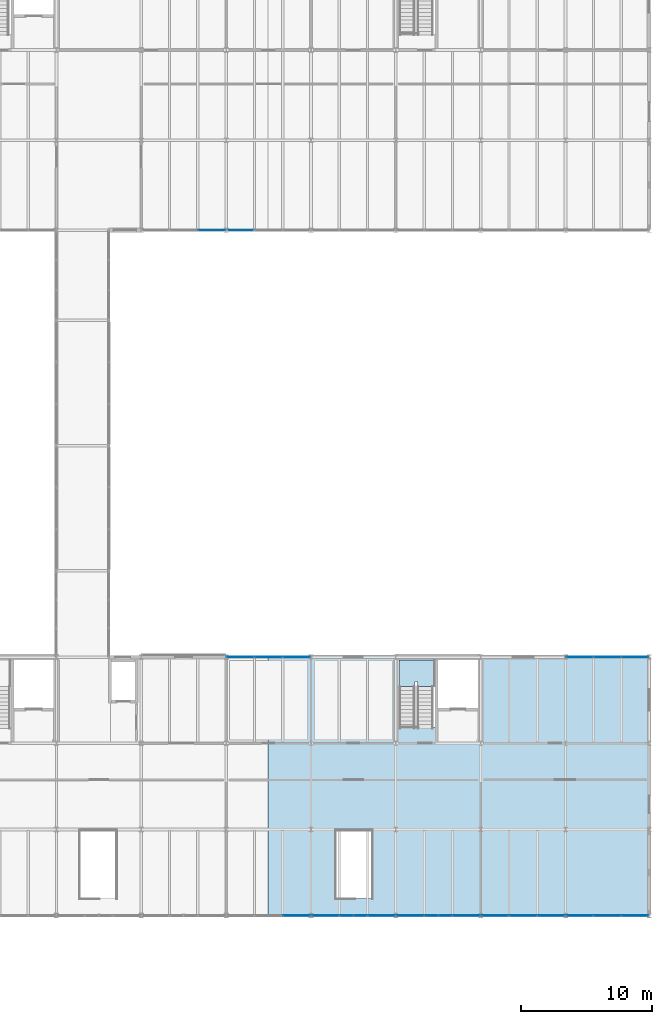
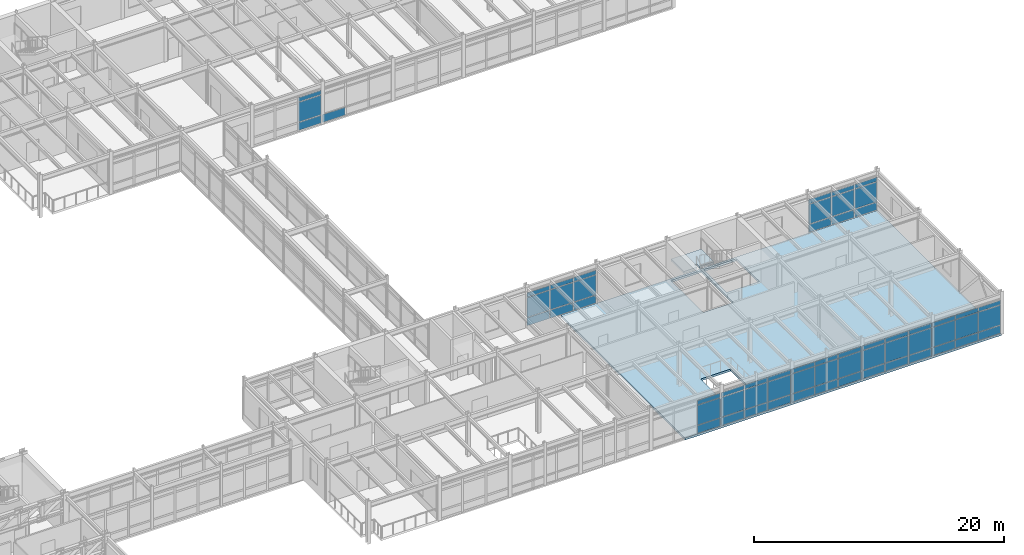
# One storey, part 99 of 144: 61 plates, 2 slabs, 10 elements without a shape of their own.
"""IFC4 building model written with IfcOpenShell, lengths in metres."""

from ifc_helpers import new_model, si_unit, direction, frame, origin, origin_2d, place, context, subcontext, project, spatial, polyline, rectangle, outline, extrude, material, layer, layer_set, type_object, element, aggregate, save


model = new_model("IFC4")

# Units and contexts
model_context = context("Model", 3, precision=1e-05, world=origin(), true_north=direction((0.0, 1.0)))
body_context = subcontext(model_context, "Body", "Model", "MODEL_VIEW")
ifc_project = project(units=[si_unit("LENGTHUNIT", "METRE"), si_unit("AREAUNIT", "SQUARE_METRE"), si_unit("VOLUMEUNIT", "CUBIC_METRE"), si_unit("PLANEANGLEUNIT", "RADIAN"), si_unit("MASSUNIT", "GRAM", prefix="KILO")], contexts=[model_context])

# Site, building, storey
site_placement = place(None, origin())
site = spatial("IfcSite", under=ifc_project, at=site_placement, CompositionType="ELEMENT")
building_placement = place(site_placement, origin())
building = spatial("IfcBuilding", under=site, at=building_placement, Name="Trelmorton Wharf Fire Station", CompositionType="ELEMENT")
storey_placement = place(building_placement, frame((0.0, 0.0, 5.39990234375)))
storey = spatial("IfcBuildingStorey", under=building, at=storey_placement, Name="L01", CompositionType="ELEMENT", Elevation=5.39990234375)

# Curtain wall, plates
ifc_material_1 = material(Name="Anodised aluminium AW-6063", Category="aluminium")
ifc_layer_1 = layer(ifc_material_1, 0.159912109375)
ifc_layer_set_1 = layer_set([ifc_layer_1], Name="Anodised aluminium AW-6063")
curtain_wall_type_1 = type_object("IfcCurtainWallType", Name="CW_CHIC_A", PredefinedType="USERDEFINED", material=ifc_layer_set_1)
curtain_wall_1_placement = place(storey_placement, origin())
curtain_wall_1 = element("IfcCurtainWall", 1, at=curtain_wall_1_placement, inside=storey, type_object=curtain_wall_type_1, Name="CW-V5-L01-041", ObjectType="CHICAGO BAY CURTAIN WALL", PredefinedType="USERDEFINED")
ifc_material_2 = material(Name="Tempered low-E double glazing", Category="glass")
ifc_layer_2 = layer(ifc_material_2, 0.028076171875)
ifc_layer_set_2 = layer_set([ifc_layer_2], Name="Tempered low-E double glazing")
plate_type_1 = type_object("IfcPlateType", Name="CWP_GLAZ_28", PredefinedType="CURTAIN_PANEL", material=ifc_layer_set_2)
plate_1_placement = place(storey_placement, frame((135.3984375, 7.800048828125, 0.06005859375), z_axis=(0.0, 0.0, 1.0), x_axis=(-1.0, 0.0, 0.0)))
plate_1 = element("IfcPlate", 2, at=plate_1_placement, type_object=plate_type_1, Name="CW1 panel 1.1", PredefinedType="CURTAIN_PANEL", context=body_context, shape_type="SweptSolid", body=[
    extrude(rectangle(XDim=2.0732421875, YDim=0.028076171875, at=origin_2d()), origin(), (0.0, 0.0, 1.0), 0.760009765625),
])
plate_2_placement = place(storey_placement, frame((135.3984375, 7.800048828125, 0.88037109375), z_axis=(0.0, 0.0, 1.0), x_axis=(-1.0, 0.0, 0.0)))
plate_2 = element("IfcPlate", 3, at=plate_2_placement, type_object=plate_type_1, Name="CW1 panel 1.2", PredefinedType="CURTAIN_PANEL", context=body_context, shape_type="SweptSolid", body=[
    extrude(rectangle(XDim=2.0732421875, YDim=0.028076171875, at=origin_2d()), origin(), (0.0, 0.0, 1.0), 1.909912109375),
])
plate_3_placement = place(storey_placement, frame((135.3984375, 7.800048828125, 2.85009765625), z_axis=(0.0, 0.0, 1.0), x_axis=(-1.0, 0.0, 0.0)))
plate_3 = element("IfcPlate", 4, at=plate_3_placement, type_object=plate_type_1, Name="CW1 panel 1.3", PredefinedType="CURTAIN_PANEL", context=body_context, shape_type="SweptSolid", body=[
    extrude(rectangle(XDim=2.0732421875, YDim=0.028076171875, at=origin_2d()), origin(), (0.0, 0.0, 1.0), 0.409912109375),
])
aggregate(curtain_wall_1, [plate_1, plate_2, plate_3])

curtain_wall_2_placement = place(storey_placement, origin())
curtain_wall_2 = element("IfcCurtainWall", 5, at=curtain_wall_2_placement, inside=storey, type_object=curtain_wall_type_1, Name="CW-V5-L01-043", ObjectType="CHICAGO BAY CURTAIN WALL", PredefinedType="USERDEFINED")
plate_4_placement = place(storey_placement, frame((148.3984375, 7.800048828125, 0.06005859375), z_axis=(0.0, 0.0, 1.0), x_axis=(-1.0, 0.0, 0.0)))
plate_4 = element("IfcPlate", 6, at=plate_4_placement, type_object=plate_type_1, Name="CW1 panel 1.1", PredefinedType="CURTAIN_PANEL", context=body_context, shape_type="SweptSolid", body=[
    extrude(rectangle(XDim=2.0732421875, YDim=0.028076171875, at=origin_2d()), origin(), (0.0, 0.0, 1.0), 0.760009765625),
])
plate_5_placement = place(storey_placement, frame((148.3984375, 7.800048828125, 0.88037109375), z_axis=(0.0, 0.0, 1.0), x_axis=(-1.0, 0.0, 0.0)))
plate_5 = element("IfcPlate", 7, at=plate_5_placement, type_object=plate_type_1, Name="CW1 panel 1.2", PredefinedType="CURTAIN_PANEL", context=body_context, shape_type="SweptSolid", body=[
    extrude(rectangle(XDim=2.0732421875, YDim=0.028076171875, at=origin_2d()), origin(), (0.0, 0.0, 1.0), 1.909912109375),
])
plate_6_placement = place(storey_placement, frame((148.3984375, 7.800048828125, 2.85009765625), z_axis=(0.0, 0.0, 1.0), x_axis=(-1.0, 0.0, 0.0)))
plate_6 = element("IfcPlate", 8, at=plate_6_placement, type_object=plate_type_1, Name="CW1 panel 1.3", PredefinedType="CURTAIN_PANEL", context=body_context, shape_type="SweptSolid", body=[
    extrude(rectangle(XDim=2.0732421875, YDim=0.028076171875, at=origin_2d()), origin(), (0.0, 0.0, 1.0), 0.409912109375),
])
plate_7_placement = place(storey_placement, frame((146.25, 7.800048828125, 0.06005859375), z_axis=(0.0, 0.0, 1.0), x_axis=(-1.0, 0.0, 0.0)))
plate_7 = element("IfcPlate", 9, at=plate_7_placement, type_object=plate_type_1, Name="CW1 panel 2.1", PredefinedType="CURTAIN_PANEL", context=body_context, shape_type="SweptSolid", body=[
    extrude(rectangle(XDim=2.103271484375, YDim=0.028076171875, at=origin_2d()), origin(), (0.0, 0.0, 1.0), 0.760009765625),
])
plate_8_placement = place(storey_placement, frame((146.25, 7.800048828125, 0.88037109375), z_axis=(0.0, 0.0, 1.0), x_axis=(-1.0, 0.0, 0.0)))
plate_8 = element("IfcPlate", 10, at=plate_8_placement, type_object=plate_type_1, Name="CW1 panel 2.2", PredefinedType="CURTAIN_PANEL", context=body_context, shape_type="SweptSolid", body=[
    extrude(rectangle(XDim=2.103271484375, YDim=0.028076171875, at=origin_2d()), origin(), (0.0, 0.0, 1.0), 1.909912109375),
])
plate_9_placement = place(storey_placement, frame((146.25, 7.800048828125, 2.85009765625), z_axis=(0.0, 0.0, 1.0), x_axis=(-1.0, 0.0, 0.0)))
plate_9 = element("IfcPlate", 11, at=plate_9_placement, type_object=plate_type_1, Name="CW1 panel 2.3", PredefinedType="CURTAIN_PANEL", context=body_context, shape_type="SweptSolid", body=[
    extrude(rectangle(XDim=2.103271484375, YDim=0.028076171875, at=origin_2d()), origin(), (0.0, 0.0, 1.0), 0.409912109375),
])
plate_10_placement = place(storey_placement, frame((144.1015625, 7.800048828125, 0.06005859375), z_axis=(0.0, 0.0, 1.0), x_axis=(-1.0, 0.0, 0.0)))
plate_10 = element("IfcPlate", 12, at=plate_10_placement, type_object=plate_type_1, Name="CW1 panel 3.1", PredefinedType="CURTAIN_PANEL", context=body_context, shape_type="SweptSolid", body=[
    extrude(rectangle(XDim=2.0732421875, YDim=0.028076171875, at=origin_2d()), origin(), (0.0, 0.0, 1.0), 0.760009765625),
])
plate_11_placement = place(storey_placement, frame((144.1015625, 7.800048828125, 0.88037109375), z_axis=(0.0, 0.0, 1.0), x_axis=(-1.0, 0.0, 0.0)))
plate_11 = element("IfcPlate", 13, at=plate_11_placement, type_object=plate_type_1, Name="CW1 panel 3.2", PredefinedType="CURTAIN_PANEL", context=body_context, shape_type="SweptSolid", body=[
    extrude(rectangle(XDim=2.0732421875, YDim=0.028076171875, at=origin_2d()), origin(), (0.0, 0.0, 1.0), 1.909912109375),
])
plate_12_placement = place(storey_placement, frame((144.1015625, 7.800048828125, 2.85009765625), z_axis=(0.0, 0.0, 1.0), x_axis=(-1.0, 0.0, 0.0)))
plate_12 = element("IfcPlate", 14, at=plate_12_placement, type_object=plate_type_1, Name="CW1 panel 3.3", PredefinedType="CURTAIN_PANEL", context=body_context, shape_type="SweptSolid", body=[
    extrude(rectangle(XDim=2.0732421875, YDim=0.028076171875, at=origin_2d()), origin(), (0.0, 0.0, 1.0), 0.409912109375),
])
aggregate(curtain_wall_2, [plate_4, plate_5, plate_6, plate_7, plate_8, plate_9, plate_10, plate_11, plate_12])

ifc_layer_3 = layer(ifc_material_1, 0.175048828125)
ifc_layer_set_3 = layer_set([ifc_layer_3], Name="Anodised aluminium AW-6063")
curtain_wall_type_2 = type_object("IfcCurtainWallType", Name="CW_CHIC_B", PredefinedType="USERDEFINED", material=ifc_layer_set_3)
curtain_wall_3_placement = place(storey_placement, origin())
curtain_wall_3 = element("IfcCurtainWall", 15, at=curtain_wall_3_placement, inside=storey, type_object=curtain_wall_type_2, Name="CW-V5-L01-044", ObjectType="CHICAGO BAY CURTAIN WALL", PredefinedType="USERDEFINED")
plate_13_placement = place(storey_placement, frame((154.8984375, 7.800048828125, 0.06005859375), z_axis=(0.0, 0.0, 1.0), x_axis=(-1.0, 0.0, 0.0)))
plate_13 = element("IfcPlate", 16, at=plate_13_placement, type_object=plate_type_1, Name="CW2 panel 1.1", PredefinedType="CURTAIN_PANEL", context=body_context, shape_type="SweptSolid", body=[
    extrude(rectangle(XDim=2.0732421875, YDim=0.028076171875, at=origin_2d()), origin(), (0.0, 0.0, 1.0), 0.760009765625),
])
plate_14_placement = place(storey_placement, frame((154.8984375, 7.800048828125, 0.88037109375), z_axis=(0.0, 0.0, 1.0), x_axis=(-1.0, 0.0, 0.0)))
plate_14 = element("IfcPlate", 17, at=plate_14_placement, type_object=plate_type_1, Name="CW2 panel 1.2", PredefinedType="CURTAIN_PANEL", context=body_context, shape_type="SweptSolid", body=[
    extrude(rectangle(XDim=2.0732421875, YDim=0.028076171875, at=origin_2d()), origin(), (0.0, 0.0, 1.0), 1.909912109375),
])
plate_15_placement = place(storey_placement, frame((154.8984375, 7.800048828125, 2.85009765625), z_axis=(0.0, 0.0, 1.0), x_axis=(-1.0, 0.0, 0.0)))
plate_15 = element("IfcPlate", 18, at=plate_15_placement, type_object=plate_type_1, Name="CW2 panel 1.3", PredefinedType="CURTAIN_PANEL", context=body_context, shape_type="SweptSolid", body=[
    extrude(rectangle(XDim=2.0732421875, YDim=0.028076171875, at=origin_2d()), origin(), (0.0, 0.0, 1.0), 0.409912109375),
])
plate_16_placement = place(storey_placement, frame((152.75, 7.800048828125, 0.06005859375), z_axis=(0.0, 0.0, 1.0), x_axis=(-1.0, 0.0, 0.0)))
plate_16 = element("IfcPlate", 19, at=plate_16_placement, type_object=plate_type_1, Name="CW2 panel 2.1", PredefinedType="CURTAIN_PANEL", context=body_context, shape_type="SweptSolid", body=[
    extrude(rectangle(XDim=2.103271484375, YDim=0.028076171875, at=origin_2d()), origin(), (0.0, 0.0, 1.0), 0.760009765625),
])
plate_17_placement = place(storey_placement, frame((152.75, 7.800048828125, 0.88037109375), z_axis=(0.0, 0.0, 1.0), x_axis=(-1.0, 0.0, 0.0)))
plate_17 = element("IfcPlate", 20, at=plate_17_placement, type_object=plate_type_1, Name="CW2 panel 2.2", PredefinedType="CURTAIN_PANEL", context=body_context, shape_type="SweptSolid", body=[
    extrude(rectangle(XDim=2.103271484375, YDim=0.028076171875, at=origin_2d()), origin(), (0.0, 0.0, 1.0), 1.909912109375),
])
plate_18_placement = place(storey_placement, frame((152.75, 7.800048828125, 2.85009765625), z_axis=(0.0, 0.0, 1.0), x_axis=(-1.0, 0.0, 0.0)))
plate_18 = element("IfcPlate", 21, at=plate_18_placement, type_object=plate_type_1, Name="CW2 panel 2.3", PredefinedType="CURTAIN_PANEL", context=body_context, shape_type="SweptSolid", body=[
    extrude(rectangle(XDim=2.103271484375, YDim=0.028076171875, at=origin_2d()), origin(), (0.0, 0.0, 1.0), 0.409912109375),
])
plate_19_placement = place(storey_placement, frame((150.6015625, 7.800048828125, 0.06005859375), z_axis=(0.0, 0.0, 1.0), x_axis=(-1.0, 0.0, 0.0)))
plate_19 = element("IfcPlate", 22, at=plate_19_placement, type_object=plate_type_1, Name="CW2 panel 3.1", PredefinedType="CURTAIN_PANEL", context=body_context, shape_type="SweptSolid", body=[
    extrude(rectangle(XDim=2.0732421875, YDim=0.028076171875, at=origin_2d()), origin(), (0.0, 0.0, 1.0), 0.760009765625),
])
plate_20_placement = place(storey_placement, frame((150.6015625, 7.800048828125, 0.88037109375), z_axis=(0.0, 0.0, 1.0), x_axis=(-1.0, 0.0, 0.0)))
plate_20 = element("IfcPlate", 23, at=plate_20_placement, type_object=plate_type_1, Name="CW2 panel 3.2", PredefinedType="CURTAIN_PANEL", context=body_context, shape_type="SweptSolid", body=[
    extrude(rectangle(XDim=2.0732421875, YDim=0.028076171875, at=origin_2d()), origin(), (0.0, 0.0, 1.0), 1.909912109375),
])
plate_21_placement = place(storey_placement, frame((150.6015625, 7.800048828125, 2.85009765625), z_axis=(0.0, 0.0, 1.0), x_axis=(-1.0, 0.0, 0.0)))
plate_21 = element("IfcPlate", 24, at=plate_21_placement, type_object=plate_type_1, Name="CW2 panel 3.3", PredefinedType="CURTAIN_PANEL", context=body_context, shape_type="SweptSolid", body=[
    extrude(rectangle(XDim=2.0732421875, YDim=0.028076171875, at=origin_2d()), origin(), (0.0, 0.0, 1.0), 0.409912109375),
])
aggregate(curtain_wall_3, [plate_13, plate_14, plate_15, plate_16, plate_17, plate_18, plate_19, plate_20, plate_21])

ifc_layer_4 = layer(ifc_material_1, 0.14990234375)
ifc_layer_set_4 = layer_set([ifc_layer_4], Name="Anodised aluminium AW-6063")
curtain_wall_type_3 = type_object("IfcCurtainWallType", Name="CW_UNIT_A", PredefinedType="USERDEFINED", material=ifc_layer_set_4)
curtain_wall_4_placement = place(storey_placement, origin())
curtain_wall_4 = element("IfcCurtainWall", 25, at=curtain_wall_4_placement, inside=storey, type_object=curtain_wall_type_3, Name="CW-V5-L01-047", ObjectType="UNITISED CURTAIN WALL", PredefinedType="USERDEFINED")
plate_22_placement = place(storey_placement, frame((131.1015625, 27.60009765625, 0.06005859375), z_axis=(0.0, 0.0, 1.0), x_axis=(1.0, 0.0, 0.0)))
plate_22 = element("IfcPlate", 26, at=plate_22_placement, type_object=plate_type_1, Name="CW3 panel 1.1", PredefinedType="CURTAIN_PANEL", context=body_context, shape_type="SweptSolid", body=[
    extrude(rectangle(XDim=2.0732421875, YDim=0.028076171875, at=origin_2d()), origin(), (0.0, 0.0, 1.0), 0.760009765625),
])
plate_23_placement = place(storey_placement, frame((131.1015625, 27.60009765625, 0.88037109375), z_axis=(0.0, 0.0, 1.0), x_axis=(1.0, 0.0, 0.0)))
plate_23 = element("IfcPlate", 27, at=plate_23_placement, type_object=plate_type_1, Name="CW3 panel 1.2", PredefinedType="CURTAIN_PANEL", context=body_context, shape_type="SweptSolid", body=[
    extrude(rectangle(XDim=2.0732421875, YDim=0.028076171875, at=origin_2d()), origin(), (0.0, 0.0, 1.0), 1.909912109375),
])
plate_24_placement = place(storey_placement, frame((131.1015625, 27.60009765625, 2.85009765625), z_axis=(0.0, 0.0, 1.0), x_axis=(1.0, 0.0, 0.0)))
plate_24 = element("IfcPlate", 28, at=plate_24_placement, type_object=plate_type_1, Name="CW3 panel 1.3", PredefinedType="CURTAIN_PANEL", context=body_context, shape_type="SweptSolid", body=[
    extrude(rectangle(XDim=2.0732421875, YDim=0.028076171875, at=origin_2d()), origin(), (0.0, 0.0, 1.0), 0.409912109375),
])
plate_25_placement = place(storey_placement, frame((133.25, 27.60009765625, 0.06005859375), z_axis=(0.0, 0.0, 1.0), x_axis=(1.0, 0.0, 0.0)))
plate_25 = element("IfcPlate", 29, at=plate_25_placement, type_object=plate_type_1, Name="CW3 panel 2.1", PredefinedType="CURTAIN_PANEL", context=body_context, shape_type="SweptSolid", body=[
    extrude(rectangle(XDim=2.103271484375, YDim=0.028076171875, at=origin_2d()), origin(), (0.0, 0.0, 1.0), 0.760009765625),
])
plate_26_placement = place(storey_placement, frame((133.25, 27.60009765625, 0.88037109375), z_axis=(0.0, 0.0, 1.0), x_axis=(1.0, 0.0, 0.0)))
plate_26 = element("IfcPlate", 30, at=plate_26_placement, type_object=plate_type_1, Name="CW3 panel 2.2", PredefinedType="CURTAIN_PANEL", context=body_context, shape_type="SweptSolid", body=[
    extrude(rectangle(XDim=2.103271484375, YDim=0.028076171875, at=origin_2d()), origin(), (0.0, 0.0, 1.0), 1.909912109375),
])
plate_27_placement = place(storey_placement, frame((133.25, 27.60009765625, 2.85009765625), z_axis=(0.0, 0.0, 1.0), x_axis=(1.0, 0.0, 0.0)))
plate_27 = element("IfcPlate", 31, at=plate_27_placement, type_object=plate_type_1, Name="CW3 panel 2.3", PredefinedType="CURTAIN_PANEL", context=body_context, shape_type="SweptSolid", body=[
    extrude(rectangle(XDim=2.103271484375, YDim=0.028076171875, at=origin_2d()), origin(), (0.0, 0.0, 1.0), 0.409912109375),
])
plate_28_placement = place(storey_placement, frame((135.3984375, 27.60009765625, 0.06005859375), z_axis=(0.0, 0.0, 1.0), x_axis=(1.0, 0.0, 0.0)))
plate_28 = element("IfcPlate", 32, at=plate_28_placement, type_object=plate_type_1, Name="CW3 panel 3.1", PredefinedType="CURTAIN_PANEL", context=body_context, shape_type="SweptSolid", body=[
    extrude(rectangle(XDim=2.0732421875, YDim=0.028076171875, at=origin_2d()), origin(), (0.0, 0.0, 1.0), 0.760009765625),
])
plate_29_placement = place(storey_placement, frame((135.3984375, 27.60009765625, 0.88037109375), z_axis=(0.0, 0.0, 1.0), x_axis=(1.0, 0.0, 0.0)))
plate_29 = element("IfcPlate", 33, at=plate_29_placement, type_object=plate_type_1, Name="CW3 panel 3.2", PredefinedType="CURTAIN_PANEL", context=body_context, shape_type="SweptSolid", body=[
    extrude(rectangle(XDim=2.0732421875, YDim=0.028076171875, at=origin_2d()), origin(), (0.0, 0.0, 1.0), 1.909912109375),
])
plate_30_placement = place(storey_placement, frame((135.3984375, 27.60009765625, 2.85009765625), z_axis=(0.0, 0.0, 1.0), x_axis=(1.0, 0.0, 0.0)))
plate_30 = element("IfcPlate", 34, at=plate_30_placement, type_object=plate_type_1, Name="CW3 panel 3.3", PredefinedType="CURTAIN_PANEL", context=body_context, shape_type="SweptSolid", body=[
    extrude(rectangle(XDim=2.0732421875, YDim=0.028076171875, at=origin_2d()), origin(), (0.0, 0.0, 1.0), 0.409912109375),
])
aggregate(curtain_wall_4, [plate_22, plate_23, plate_24, plate_25, plate_26, plate_27, plate_28, plate_29, plate_30])

curtain_wall_5_placement = place(storey_placement, origin())
curtain_wall_5 = element("IfcCurtainWall", 35, at=curtain_wall_5_placement, inside=storey, type_object=curtain_wall_type_1, Name="CW-V4-L01-124", ObjectType="CHICAGO BAY CURTAIN WALL", PredefinedType="USERDEFINED")
plate_31_placement = place(storey_placement, frame((128.8984375, 60.300048828125, 0.06005859375), z_axis=(0.0, 0.0, 1.0), x_axis=(-1.0, 0.0, 0.0)))
plate_31 = element("IfcPlate", 36, at=plate_31_placement, type_object=plate_type_1, Name="CW1 panel 1.1", PredefinedType="CURTAIN_PANEL", context=body_context, shape_type="SweptSolid", body=[
    extrude(rectangle(XDim=2.0732421875, YDim=0.028076171875, at=origin_2d()), origin(), (0.0, 0.0, 1.0), 0.760009765625),
])
plate_32_placement = place(storey_placement, frame((128.8984375, 60.300048828125, 0.88037109375), z_axis=(0.0, 0.0, 1.0), x_axis=(-1.0, 0.0, 0.0)))
plate_32 = element("IfcPlate", 37, at=plate_32_placement, type_object=plate_type_1, Name="CW1 panel 1.2", PredefinedType="CURTAIN_PANEL", context=body_context, shape_type="SweptSolid", body=[
    extrude(rectangle(XDim=2.0732421875, YDim=0.028076171875, at=origin_2d()), origin(), (0.0, 0.0, 1.0), 1.909912109375),
])
plate_33_placement = place(storey_placement, frame((128.8984375, 60.300048828125, 2.85009765625), z_axis=(0.0, 0.0, 1.0), x_axis=(-1.0, 0.0, 0.0)))
plate_33 = element("IfcPlate", 38, at=plate_33_placement, type_object=plate_type_1, Name="CW1 panel 1.3", PredefinedType="CURTAIN_PANEL", context=body_context, shape_type="SweptSolid", body=[
    extrude(rectangle(XDim=2.0732421875, YDim=0.028076171875, at=origin_2d()), origin(), (0.0, 0.0, 1.0), 0.409912109375),
])
aggregate(curtain_wall_5, [plate_31, plate_32, plate_33])

# Curtain wall, plate
curtain_wall_6_placement = place(storey_placement, origin())
curtain_wall_6 = element("IfcCurtainWall", 39, at=curtain_wall_6_placement, inside=storey, type_object=curtain_wall_type_1, Name="CW-V4-L01-125", ObjectType="CHICAGO BAY CURTAIN WALL", PredefinedType="USERDEFINED")
plate_34_placement = place(storey_placement, frame((131.1015625, 60.300048828125, 0.06005859375), z_axis=(0.0, 0.0, 1.0), x_axis=(-1.0, 0.0, 0.0)))
plate_34 = element("IfcPlate", 40, at=plate_34_placement, type_object=plate_type_1, Name="CW1 panel 3.1", PredefinedType="CURTAIN_PANEL", context=body_context, shape_type="SweptSolid", body=[
    extrude(rectangle(XDim=2.0732421875, YDim=0.028076171875, at=origin_2d()), origin(), (0.0, 0.0, 1.0), 0.760009765625),
])
aggregate(curtain_wall_6, [plate_34])

# Curtain wall, plates
curtain_wall_7_placement = place(storey_placement, origin())
curtain_wall_7 = element("IfcCurtainWall", 41, at=curtain_wall_7_placement, inside=storey, type_object=curtain_wall_type_1, Name="CW-V5-L01-045", ObjectType="CHICAGO BAY CURTAIN WALL", PredefinedType="USERDEFINED")
ifc_layer_5 = layer(ifc_material_2, 0.028076171875)
ifc_layer_set_5 = layer_set([ifc_layer_5], Name="Tempered low-E double glazing")
plate_type_2 = type_object("IfcPlateType", Name="CWP_GLAZ_38", PredefinedType="CURTAIN_PANEL", material=ifc_layer_set_5)
plate_35_placement = place(storey_placement, frame((161.31494140625, 7.800048828125, 0.06005859375), z_axis=(0.0, 0.0, 1.0), x_axis=(-1.0, 0.0, 0.0)))
plate_35 = element("IfcPlate", 42, at=plate_35_placement, type_object=plate_type_2, Name="CW1 panel 1.1", PredefinedType="CURTAIN_PANEL", context=body_context, shape_type="SweptSolid", body=[
    extrude(rectangle(XDim=2.0400390625, YDim=0.028076171875, at=origin_2d()), origin(), (0.0, 0.0, 1.0), 0.760009765625),
])
plate_36_placement = place(storey_placement, frame((161.31494140625, 7.800048828125, 0.88037109375), z_axis=(0.0, 0.0, 1.0), x_axis=(-1.0, 0.0, 0.0)))
plate_36 = element("IfcPlate", 43, at=plate_36_placement, type_object=plate_type_2, Name="CW1 panel 1.2", PredefinedType="CURTAIN_PANEL", context=body_context, shape_type="SweptSolid", body=[
    extrude(rectangle(XDim=2.0400390625, YDim=0.028076171875, at=origin_2d()), origin(), (0.0, 0.0, 1.0), 1.909912109375),
])
plate_37_placement = place(storey_placement, frame((161.31494140625, 7.800048828125, 2.85009765625), z_axis=(0.0, 0.0, 1.0), x_axis=(-1.0, 0.0, 0.0)))
plate_37 = element("IfcPlate", 44, at=plate_37_placement, type_object=plate_type_2, Name="CW1 panel 1.3", PredefinedType="CURTAIN_PANEL", context=body_context, shape_type="SweptSolid", body=[
    extrude(rectangle(XDim=2.0400390625, YDim=0.028076171875, at=origin_2d()), origin(), (0.0, 0.0, 1.0), 0.409912109375),
])
plate_38_placement = place(storey_placement, frame((159.199951171875, 7.800048828125, 0.06005859375), z_axis=(0.0, 0.0, 1.0), x_axis=(-1.0, 0.0, 0.0)))
plate_38 = element("IfcPlate", 45, at=plate_38_placement, type_object=plate_type_2, Name="CW1 panel 2.1", PredefinedType="CURTAIN_PANEL", context=body_context, shape_type="SweptSolid", body=[
    extrude(rectangle(XDim=2.070068359375, YDim=0.028076171875, at=origin_2d()), origin(), (0.0, 0.0, 1.0), 0.760009765625),
])
plate_39_placement = place(storey_placement, frame((159.199951171875, 7.800048828125, 0.88037109375), z_axis=(0.0, 0.0, 1.0), x_axis=(-1.0, 0.0, 0.0)))
plate_39 = element("IfcPlate", 46, at=plate_39_placement, type_object=plate_type_2, Name="CW1 panel 2.2", PredefinedType="CURTAIN_PANEL", context=body_context, shape_type="SweptSolid", body=[
    extrude(rectangle(XDim=2.070068359375, YDim=0.028076171875, at=origin_2d()), origin(), (0.0, 0.0, 1.0), 1.909912109375),
])
plate_40_placement = place(storey_placement, frame((159.199951171875, 7.800048828125, 2.85009765625), z_axis=(0.0, 0.0, 1.0), x_axis=(-1.0, 0.0, 0.0)))
plate_40 = element("IfcPlate", 47, at=plate_40_placement, type_object=plate_type_2, Name="CW1 panel 2.3", PredefinedType="CURTAIN_PANEL", context=body_context, shape_type="SweptSolid", body=[
    extrude(rectangle(XDim=2.070068359375, YDim=0.028076171875, at=origin_2d()), origin(), (0.0, 0.0, 1.0), 0.409912109375),
])
plate_41_placement = place(storey_placement, frame((157.0849609375, 7.800048828125, 0.06005859375), z_axis=(0.0, 0.0, 1.0), x_axis=(-1.0, 0.0, 0.0)))
plate_41 = element("IfcPlate", 48, at=plate_41_placement, type_object=plate_type_2, Name="CW1 panel 3.1", PredefinedType="CURTAIN_PANEL", context=body_context, shape_type="SweptSolid", body=[
    extrude(rectangle(XDim=2.0400390625, YDim=0.028076171875, at=origin_2d()), origin(), (0.0, 0.0, 1.0), 0.760009765625),
])
plate_42_placement = place(storey_placement, frame((157.0849609375, 7.800048828125, 0.88037109375), z_axis=(0.0, 0.0, 1.0), x_axis=(-1.0, 0.0, 0.0)))
plate_42 = element("IfcPlate", 49, at=plate_42_placement, type_object=plate_type_2, Name="CW1 panel 3.2", PredefinedType="CURTAIN_PANEL", context=body_context, shape_type="SweptSolid", body=[
    extrude(rectangle(XDim=2.0400390625, YDim=0.028076171875, at=origin_2d()), origin(), (0.0, 0.0, 1.0), 1.909912109375),
])
plate_43_placement = place(storey_placement, frame((157.0849609375, 7.800048828125, 2.85009765625), z_axis=(0.0, 0.0, 1.0), x_axis=(-1.0, 0.0, 0.0)))
plate_43 = element("IfcPlate", 50, at=plate_43_placement, type_object=plate_type_2, Name="CW1 panel 3.3", PredefinedType="CURTAIN_PANEL", context=body_context, shape_type="SweptSolid", body=[
    extrude(rectangle(XDim=2.0400390625, YDim=0.028076171875, at=origin_2d()), origin(), (0.0, 0.0, 1.0), 0.409912109375),
])
aggregate(curtain_wall_7, [plate_35, plate_36, plate_37, plate_38, plate_39, plate_40, plate_41, plate_42, plate_43])

curtain_wall_8_placement = place(storey_placement, origin())
curtain_wall_8 = element("IfcCurtainWall", 51, at=curtain_wall_8_placement, inside=storey, type_object=curtain_wall_type_2, Name="CW-V5-L01-042", ObjectType="CHICAGO BAY CURTAIN WALL", PredefinedType="USERDEFINED")
ifc_material_3 = material(Name="Ceramic-fritted spandrel glazing", Category="glass")
ifc_layer_6 = layer(ifc_material_3, 0.028076171875)
ifc_layer_set_6 = layer_set([ifc_layer_6], Name="Ceramic-fritted spandrel glazing")
plate_type_3 = type_object("IfcPlateType", Name="CWP_SPAN_48", PredefinedType="CURTAIN_PANEL", material=ifc_layer_set_6)
plate_44_placement = place(storey_placement, frame((141.8984375, 7.800048828125, 0.06005859375), z_axis=(0.0, 0.0, 1.0), x_axis=(-1.0, 0.0, 0.0)))
plate_44 = element("IfcPlate", 52, at=plate_44_placement, type_object=plate_type_3, Name="CW2 panel 1.1", PredefinedType="CURTAIN_PANEL", context=body_context, shape_type="SweptSolid", body=[
    extrude(rectangle(XDim=2.0732421875, YDim=0.028076171875, at=origin_2d()), origin(), (0.0, 0.0, 1.0), 0.760009765625),
])
plate_45_placement = place(storey_placement, frame((141.8984375, 7.800048828125, 0.88037109375), z_axis=(0.0, 0.0, 1.0), x_axis=(-1.0, 0.0, 0.0)))
plate_45 = element("IfcPlate", 53, at=plate_45_placement, type_object=plate_type_3, Name="CW2 panel 1.2", PredefinedType="CURTAIN_PANEL", context=body_context, shape_type="SweptSolid", body=[
    extrude(rectangle(XDim=2.0732421875, YDim=0.028076171875, at=origin_2d()), origin(), (0.0, 0.0, 1.0), 1.909912109375),
])
plate_46_placement = place(storey_placement, frame((141.8984375, 7.800048828125, 2.85009765625), z_axis=(0.0, 0.0, 1.0), x_axis=(-1.0, 0.0, 0.0)))
plate_46 = element("IfcPlate", 54, at=plate_46_placement, type_object=plate_type_3, Name="CW2 panel 1.3", PredefinedType="CURTAIN_PANEL", context=body_context, shape_type="SweptSolid", body=[
    extrude(rectangle(XDim=2.0732421875, YDim=0.028076171875, at=origin_2d()), origin(), (0.0, 0.0, 1.0), 0.409912109375),
])
plate_47_placement = place(storey_placement, frame((139.75, 7.800048828125, 0.06005859375), z_axis=(0.0, 0.0, 1.0), x_axis=(-1.0, 0.0, 0.0)))
plate_47 = element("IfcPlate", 55, at=plate_47_placement, type_object=plate_type_3, Name="CW2 panel 2.1", PredefinedType="CURTAIN_PANEL", context=body_context, shape_type="SweptSolid", body=[
    extrude(rectangle(XDim=2.103271484375, YDim=0.028076171875, at=origin_2d()), origin(), (0.0, 0.0, 1.0), 0.760009765625),
])
plate_48_placement = place(storey_placement, frame((139.75, 7.800048828125, 0.88037109375), z_axis=(0.0, 0.0, 1.0), x_axis=(-1.0, 0.0, 0.0)))
plate_48 = element("IfcPlate", 56, at=plate_48_placement, type_object=plate_type_3, Name="CW2 panel 2.2", PredefinedType="CURTAIN_PANEL", context=body_context, shape_type="SweptSolid", body=[
    extrude(rectangle(XDim=2.103271484375, YDim=0.028076171875, at=origin_2d()), origin(), (0.0, 0.0, 1.0), 1.909912109375),
])
plate_49_placement = place(storey_placement, frame((139.75, 7.800048828125, 2.85009765625), z_axis=(0.0, 0.0, 1.0), x_axis=(-1.0, 0.0, 0.0)))
plate_49 = element("IfcPlate", 57, at=plate_49_placement, type_object=plate_type_3, Name="CW2 panel 2.3", PredefinedType="CURTAIN_PANEL", context=body_context, shape_type="SweptSolid", body=[
    extrude(rectangle(XDim=2.103271484375, YDim=0.028076171875, at=origin_2d()), origin(), (0.0, 0.0, 1.0), 0.409912109375),
])
plate_50_placement = place(storey_placement, frame((137.6015625, 7.800048828125, 0.06005859375), z_axis=(0.0, 0.0, 1.0), x_axis=(-1.0, 0.0, 0.0)))
plate_50 = element("IfcPlate", 58, at=plate_50_placement, type_object=plate_type_3, Name="CW2 panel 3.1", PredefinedType="CURTAIN_PANEL", context=body_context, shape_type="SweptSolid", body=[
    extrude(rectangle(XDim=2.0732421875, YDim=0.028076171875, at=origin_2d()), origin(), (0.0, 0.0, 1.0), 0.760009765625),
])
plate_51_placement = place(storey_placement, frame((137.6015625, 7.800048828125, 0.88037109375), z_axis=(0.0, 0.0, 1.0), x_axis=(-1.0, 0.0, 0.0)))
plate_51 = element("IfcPlate", 59, at=plate_51_placement, type_object=plate_type_3, Name="CW2 panel 3.2", PredefinedType="CURTAIN_PANEL", context=body_context, shape_type="SweptSolid", body=[
    extrude(rectangle(XDim=2.0732421875, YDim=0.028076171875, at=origin_2d()), origin(), (0.0, 0.0, 1.0), 1.909912109375),
])
plate_52_placement = place(storey_placement, frame((137.6015625, 7.800048828125, 2.85009765625), z_axis=(0.0, 0.0, 1.0), x_axis=(-1.0, 0.0, 0.0)))
plate_52 = element("IfcPlate", 60, at=plate_52_placement, type_object=plate_type_3, Name="CW2 panel 3.3", PredefinedType="CURTAIN_PANEL", context=body_context, shape_type="SweptSolid", body=[
    extrude(rectangle(XDim=2.0732421875, YDim=0.028076171875, at=origin_2d()), origin(), (0.0, 0.0, 1.0), 0.409912109375),
])
aggregate(curtain_wall_8, [plate_44, plate_45, plate_46, plate_47, plate_48, plate_49, plate_50, plate_51, plate_52])

curtain_wall_9_placement = place(storey_placement, origin())
curtain_wall_9 = element("IfcCurtainWall", 61, at=curtain_wall_9_placement, inside=storey, type_object=curtain_wall_type_3, Name="CW-V5-L01-048", ObjectType="UNITISED CURTAIN WALL", PredefinedType="USERDEFINED")
plate_53_placement = place(storey_placement, frame((157.0849609375, 27.60009765625, 0.06005859375), z_axis=(0.0, 0.0, 1.0), x_axis=(1.0, 0.0, 0.0)))
plate_53 = element("IfcPlate", 62, at=plate_53_placement, type_object=plate_type_3, Name="CW3 panel 1.1", PredefinedType="CURTAIN_PANEL", context=body_context, shape_type="SweptSolid", body=[
    extrude(rectangle(XDim=2.0400390625, YDim=0.028076171875, at=origin_2d()), origin(), (0.0, 0.0, 1.0), 0.760009765625),
])
plate_54_placement = place(storey_placement, frame((157.0849609375, 27.60009765625, 0.88037109375), z_axis=(0.0, 0.0, 1.0), x_axis=(1.0, 0.0, 0.0)))
plate_54 = element("IfcPlate", 63, at=plate_54_placement, type_object=plate_type_3, Name="CW3 panel 1.2", PredefinedType="CURTAIN_PANEL", context=body_context, shape_type="SweptSolid", body=[
    extrude(rectangle(XDim=2.0400390625, YDim=0.028076171875, at=origin_2d()), origin(), (0.0, 0.0, 1.0), 1.909912109375),
])
plate_55_placement = place(storey_placement, frame((157.0849609375, 27.60009765625, 2.85009765625), z_axis=(0.0, 0.0, 1.0), x_axis=(1.0, 0.0, 0.0)))
plate_55 = element("IfcPlate", 64, at=plate_55_placement, type_object=plate_type_3, Name="CW3 panel 1.3", PredefinedType="CURTAIN_PANEL", context=body_context, shape_type="SweptSolid", body=[
    extrude(rectangle(XDim=2.0400390625, YDim=0.028076171875, at=origin_2d()), origin(), (0.0, 0.0, 1.0), 0.409912109375),
])
plate_56_placement = place(storey_placement, frame((159.199951171875, 27.60009765625, 0.06005859375), z_axis=(0.0, 0.0, 1.0), x_axis=(1.0, 0.0, 0.0)))
plate_56 = element("IfcPlate", 65, at=plate_56_placement, type_object=plate_type_3, Name="CW3 panel 2.1", PredefinedType="CURTAIN_PANEL", context=body_context, shape_type="SweptSolid", body=[
    extrude(rectangle(XDim=2.070068359375, YDim=0.028076171875, at=origin_2d()), origin(), (0.0, 0.0, 1.0), 0.760009765625),
])
plate_57_placement = place(storey_placement, frame((159.199951171875, 27.60009765625, 0.88037109375), z_axis=(0.0, 0.0, 1.0), x_axis=(1.0, 0.0, 0.0)))
plate_57 = element("IfcPlate", 66, at=plate_57_placement, type_object=plate_type_3, Name="CW3 panel 2.2", PredefinedType="CURTAIN_PANEL", context=body_context, shape_type="SweptSolid", body=[
    extrude(rectangle(XDim=2.070068359375, YDim=0.028076171875, at=origin_2d()), origin(), (0.0, 0.0, 1.0), 1.909912109375),
])
plate_58_placement = place(storey_placement, frame((159.199951171875, 27.60009765625, 2.85009765625), z_axis=(0.0, 0.0, 1.0), x_axis=(1.0, 0.0, 0.0)))
plate_58 = element("IfcPlate", 67, at=plate_58_placement, type_object=plate_type_3, Name="CW3 panel 2.3", PredefinedType="CURTAIN_PANEL", context=body_context, shape_type="SweptSolid", body=[
    extrude(rectangle(XDim=2.070068359375, YDim=0.028076171875, at=origin_2d()), origin(), (0.0, 0.0, 1.0), 0.409912109375),
])
plate_59_placement = place(storey_placement, frame((161.31494140625, 27.60009765625, 0.06005859375), z_axis=(0.0, 0.0, 1.0), x_axis=(1.0, 0.0, 0.0)))
plate_59 = element("IfcPlate", 68, at=plate_59_placement, type_object=plate_type_3, Name="CW3 panel 3.1", PredefinedType="CURTAIN_PANEL", context=body_context, shape_type="SweptSolid", body=[
    extrude(rectangle(XDim=2.0400390625, YDim=0.028076171875, at=origin_2d()), origin(), (0.0, 0.0, 1.0), 0.760009765625),
])
plate_60_placement = place(storey_placement, frame((161.31494140625, 27.60009765625, 0.88037109375), z_axis=(0.0, 0.0, 1.0), x_axis=(1.0, 0.0, 0.0)))
plate_60 = element("IfcPlate", 69, at=plate_60_placement, type_object=plate_type_3, Name="CW3 panel 3.2", PredefinedType="CURTAIN_PANEL", context=body_context, shape_type="SweptSolid", body=[
    extrude(rectangle(XDim=2.0400390625, YDim=0.028076171875, at=origin_2d()), origin(), (0.0, 0.0, 1.0), 1.909912109375),
])
plate_61_placement = place(storey_placement, frame((161.31494140625, 27.60009765625, 2.85009765625), z_axis=(0.0, 0.0, 1.0), x_axis=(1.0, 0.0, 0.0)))
plate_61 = element("IfcPlate", 70, at=plate_61_placement, type_object=plate_type_3, Name="CW3 panel 3.3", PredefinedType="CURTAIN_PANEL", context=body_context, shape_type="SweptSolid", body=[
    extrude(rectangle(XDim=2.0400390625, YDim=0.028076171875, at=origin_2d()), origin(), (0.0, 0.0, 1.0), 0.409912109375),
])
aggregate(curtain_wall_9, [plate_53, plate_54, plate_55, plate_56, plate_57, plate_58, plate_59, plate_60, plate_61])

# Slab
ifc_material_4 = material(Name="Concrete 40 MPa", Category="concrete")
ifc_layer_7 = layer(ifc_material_4, 0.199951171875)
ifc_layer_set_7 = layer_set([ifc_layer_7], Name="Concrete 40 MPa")
slab_type_1 = type_object("IfcSlabType", Name="SL_FLOOR_200", PredefinedType="FLOOR", material=ifc_layer_set_7)
slab_1_placement = place(storey_placement, frame((0.0, 0.0, -0.199951171875)))
element("IfcSlab", 71, at=slab_1_placement, inside=storey, type_object=slab_type_1, Name="SL-V5-L01-017", PredefinedType="FLOOR", context=body_context, shape_type="SweptSolid", body=[
    extrude(outline(polyline([(162.39990234375, 7.800048828125), (133.199951171875, 7.800048828125), (133.199951171875, 27.60009765625), (162.39990234375, 27.60009765625), (162.39990234375, 7.800048828125)]), holes=[polyline([(146.010009765625, 27.3798828125), (143.219970703125, 27.3798828125), (143.219970703125, 22.239990234375), (146.010009765625, 22.239990234375), (146.010009765625, 27.3798828125)]), polyline([(149.280029296875, 23.719970703125), (149.280029296875, 27.3798828125), (146.239990234375, 27.3798828125), (146.239990234375, 23.719970703125), (149.280029296875, 23.719970703125)]), polyline([(138.419921875, 14.300048828125), (138.419921875, 9.10009765625), (141.179931640625, 9.10009765625), (141.179931640625, 14.300048828125), (138.419921875, 14.300048828125)])]), origin(), (0.0, 0.0, 1.0), 0.199951171875),
])

# Stair, slab
ifc_material_5 = material(Name="Precast concrete 45 MPa", Category="concrete")
stair_type = type_object("IfcStairType", Name="ST_DOG_420", PredefinedType="HALF_TURN_STAIR", material=ifc_material_5)
stair_placement = place(storey_placement, origin())
stair = element("IfcStair", 72, at=stair_placement, inside=storey, type_object=stair_type, Name="Escape Stair ST5-L01", PredefinedType="HALF_TURN_STAIR")
ifc_layer_8 = layer(ifc_material_5, 0.199951171875)
ifc_layer_set_8 = layer_set([ifc_layer_8], Name="Precast concrete 45 MPa")
slab_type_2 = type_object("IfcSlabType", Name="SL_LAND_180", PredefinedType="LANDING", material=ifc_layer_set_8)
slab_2_placement = place(storey_placement, frame((0.0, 0.0, 1.900146484375)))
slab_2 = element("IfcSlab", 73, at=slab_2_placement, type_object=slab_type_2, Name="ST5-L01 landing 1", PredefinedType="LANDING", context=body_context, shape_type="SweptSolid", body=[
    extrude(outline(polyline([(143.22509765625, 25.330078125), (144.4599609375, 25.330078125), (144.4599609375, 25.75), (144.659912109375, 25.75), (144.659912109375, 25.330078125), (146.0048828125, 25.330078125), (146.0048828125, 27.375), (143.22509765625, 27.375), (143.22509765625, 25.330078125)])), origin(), (0.0, 0.0, 1.0), 0.199951171875),
])
aggregate(stair, [slab_2])

save(model, "model.ifc")
